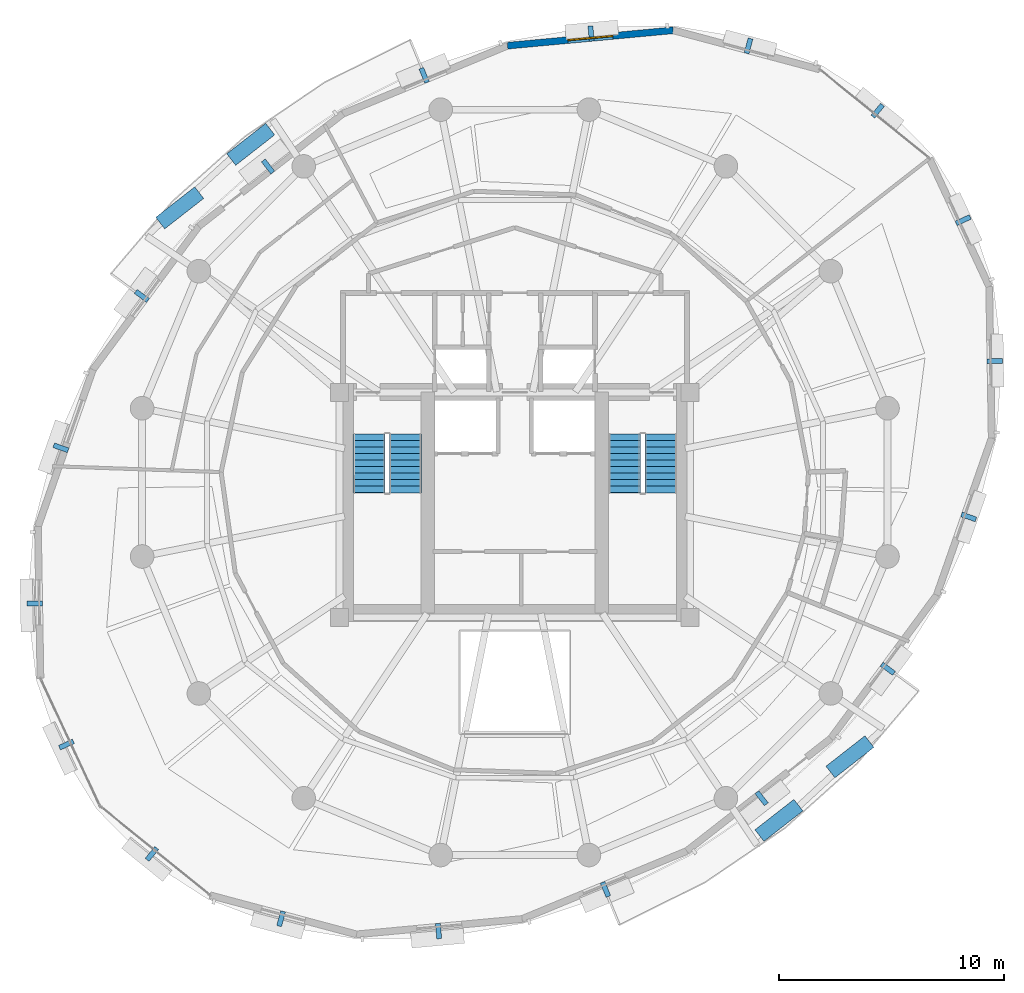
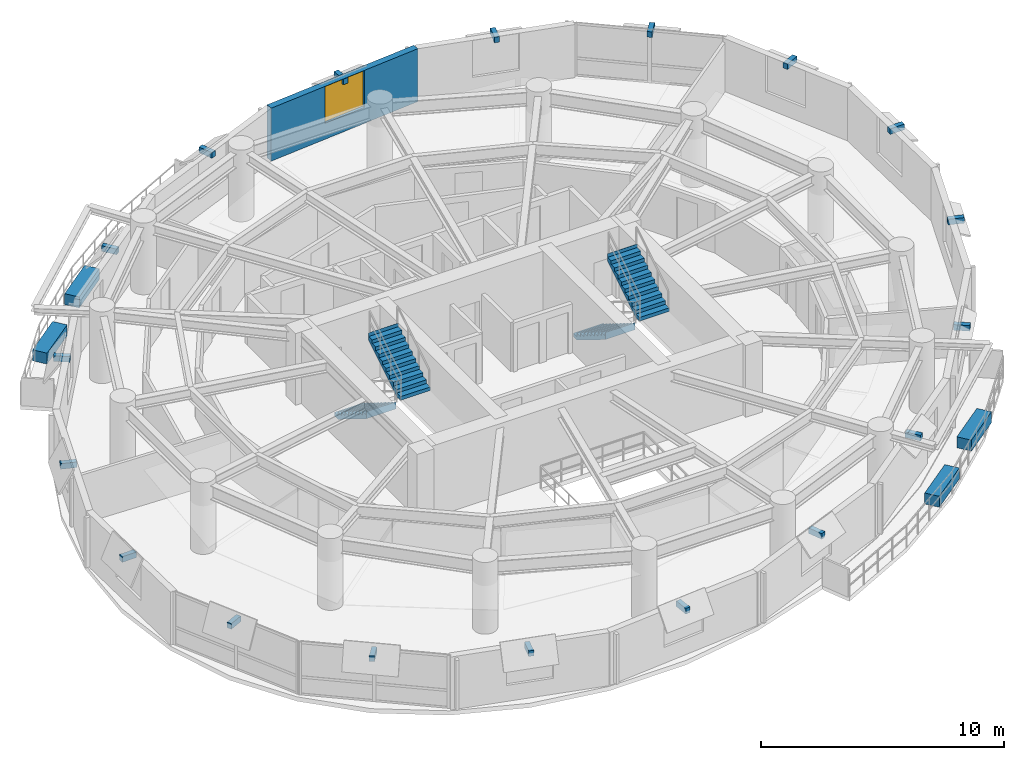
# One storey, part 10 of 12: 22 discrete accessories, 4 stair flights, 1 wall, 1 window, 1 opening, 2 elements without a shape of their own.
"""IFC4 building model written with IfcOpenShell, lengths in metres."""

from ifc_helpers import new_model, si_unit, direction, frame, frame_2d, origin, origin_2d, place, context, subcontext, project, spatial, polyline, rectangle, outline, extrude, material, layer, layer_set, type_object, element, fill, aggregate, save


model = new_model("IFC4")

# Units and contexts
model_context = context("Model", 3, precision=1e-05, world=origin(), true_north=direction((0.0, 1.0)))
body_context = subcontext(model_context, "Body", "Model", "MODEL_VIEW")
ifc_project = project(units=[si_unit("LENGTHUNIT", "METRE"), si_unit("AREAUNIT", "SQUARE_METRE"), si_unit("VOLUMEUNIT", "CUBIC_METRE"), si_unit("PLANEANGLEUNIT", "RADIAN"), si_unit("MASSUNIT", "GRAM", prefix="KILO"), si_unit("THERMODYNAMICTEMPERATUREUNIT", "KELVIN"), si_unit("POWERUNIT", "WATT")], contexts=[model_context])

# Site, building, storey
site_placement = place(None, origin())
site = spatial("IfcSite", under=ifc_project, at=site_placement, CompositionType="ELEMENT")
building_placement = place(site_placement, origin())
building = spatial("IfcBuilding", under=site, at=building_placement, Name="Ocrelia Relay Tower", CompositionType="ELEMENT")
storey_placement = place(building_placement, frame((0.0, 0.0, 191.60009765625)))
storey = spatial("IfcBuildingStorey", under=building, at=storey_placement, Name="L46", CompositionType="ELEMENT", Elevation=191.60009765625)

# Wall, opening, window
ifc_material_1 = material(Name="Precast concrete C40/50 with oxide terracotta", Category="masonry")
ifc_layer = layer(ifc_material_1, 0.300048828125, Name="Precast concrete C40/50 with oxide terracotta")
ifc_layer_set = layer_set([ifc_layer], Name="Precast concrete C40/50 with oxide terracotta")
wall_type = type_object("IfcWallType", Name="W-EXT-TERR-300", PredefinedType="SOLIDWALL", material=ifc_layer_set)
wall_placement = place(storey_placement, frame((41.041748046875, 46.102783203125, 0.0), z_axis=(0.0, 0.0, 1.0), x_axis=(-0.995718257767, -0.092439986742, 0.0)))
wall = element("IfcWall", 1, at=wall_placement, inside=storey, type_object=wall_type, Name="L46 Oxide Terracotta Facade Wall 03", PredefinedType="SOLIDWALL", context=body_context, shape_type="SweptSolid", body=[
    extrude(rectangle(XDim=7.397705078125, YDim=0.300048828125, at=frame_2d((3.69873046875, 0.0))), origin(), (0.0, 0.0, 1.0), 2.659912109375),
])
opening_placement = place(wall_placement, frame((2.698974609375, 0.0, 0.800048828125)))
opening = element("IfcOpeningElement", 2, at=opening_placement, cuts=wall, Name="Opening W-03", PredefinedType="OPENING", context=body_context, shape_type="SweptSolid", body=[
    extrude(rectangle(XDim=2.0, YDim=1.85009765625, at=frame_2d((1.0, 0.925048828125))), frame((0.0, 0.16015625, 0.0), z_axis=(0.0, -1.0, 0.0), x_axis=(1.0, 0.0, 0.0)), (0.0, 0.0, 1.0), 0.320068359375),
])
ifc_material_2 = material(Name="Clear double-glazed low-E glass", Category="glass")
window_type = type_object("IfcWindowType", Name="WIN-Z3-2000x2200", PartitioningType="DOUBLE_PANEL_VERTICAL", PredefinedType="WINDOW", material=ifc_material_2)
window_placement = place(opening_placement, origin())
window = element("IfcWindow", 3, at=window_placement, inside=storey, type_object=window_type, Name="L46 Facade Module Window 03", OverallHeight=1.85009765625, OverallWidth=2.0, PartitioningType="SINGLE_PANEL", PredefinedType="WINDOW", context=body_context, shape_type="SweptSolid", body=[
    extrude(rectangle(XDim=2.0, YDim=1.85009765625, at=frame_2d((1.0, 0.925048828125))), frame((0.0, 0.030029296875, 0.0), z_axis=(0.0, -1.0, 0.0), x_axis=(1.0, 0.0, 0.0)), (0.0, 0.0, 1.0), 0.06005859375),
])
fill(opening, window)

# Stair, stair flights
ifc_material_3 = material(Name="Concrete C50/60", Category="concrete")
stair_type = type_object("IfcStairType", Name="ST-DL-1420-R180", PredefinedType="HALF_TURN_STAIR", material=ifc_material_3)
stair_1_placement = place(storey_placement, origin())
stair_1 = element("IfcStair", 4, at=stair_1_placement, inside=storey, type_object=stair_type, Name="L46 West Core Exit Stair ST1", PredefinedType="HALF_TURN_STAIR")
stair_flight_type = type_object("IfcStairFlightType", Name="STF-DL-1420-R180", PredefinedType="STRAIGHT", material=ifc_material_3)
stair_flight_1_placement = place(storey_placement, frame((27.52001953125, 28.14990234375, 0.0), z_axis=(0.0, 0.0, 1.0), x_axis=(0.0, -1.0, 0.0)))
stair_flight_1 = element("IfcStairFlight", 5, at=stair_flight_1_placement, type_object=stair_flight_type, Name="ST1 flight 1", NumberOfRisers=10, NumberOfTreads=9, PredefinedType="STRAIGHT", RiserHeight=0.18, TreadLength=0.29, context=body_context, shape_type="SweptSolid", body=[
    extrude(outline(polyline([(-0.008056640625, 0.0), (-0.008056640625, 0.179931640625), (0.0, 0.179931640625), (0.2900390625, 0.179931640625), (0.2900390625, 0.360107421875), (0.580078125, 0.360107421875), (0.580078125, 0.5400390625), (0.8701171875, 0.5400390625), (0.8701171875, 0.719970703125), (1.159912109375, 0.719970703125), (1.159912109375, 0.89990234375), (1.449951171875, 0.89990234375), (1.449951171875, 1.080078125), (1.739990234375, 1.080078125), (1.739990234375, 1.260009765625), (2.030029296875, 1.260009765625), (2.030029296875, 1.43994140625), (2.320068359375, 1.43994140625), (2.320068359375, 1.6201171875), (2.610107421875, 1.6201171875), (2.610107421875, 1.800048828125), (2.617919921875, 1.800048828125), (2.617919921875, 1.443603515625), (0.2841796875, 0.0), (-0.008056640625, 0.0)])), frame((0.0, 0.7099609375, 0.0), z_axis=(0.0, -1.0, 0.0), x_axis=(1.0, 0.0, 0.0)), (0.0, 0.0, 1.0), 1.419921875),
])
stair_flight_2_placement = place(storey_placement, frame((29.139892578125, 25.5400390625, 1.7998046875), z_axis=(0.0, 0.0, 1.0), x_axis=(0.0, 1.0, 0.0)))
stair_flight_2 = element("IfcStairFlight", 6, at=stair_flight_2_placement, type_object=stair_flight_type, Name="ST1 flight 2", NumberOfRisers=10, NumberOfTreads=9, PredefinedType="STRAIGHT", RiserHeight=0.18, TreadLength=0.29, context=body_context, shape_type="SweptSolid", body=[
    extrude(outline(polyline([(-0.008056640625, 0.0), (-0.008056640625, 0.179931640625), (0.0, 0.179931640625), (0.2900390625, 0.179931640625), (0.2900390625, 0.360107421875), (0.580078125, 0.360107421875), (0.580078125, 0.5400390625), (0.8701171875, 0.5400390625), (0.8701171875, 0.719970703125), (1.159912109375, 0.719970703125), (1.159912109375, 0.89990234375), (1.449951171875, 0.89990234375), (1.449951171875, 1.080078125), (1.739990234375, 1.080078125), (1.739990234375, 1.260009765625), (2.030029296875, 1.260009765625), (2.030029296875, 1.43994140625), (2.320068359375, 1.43994140625), (2.320068359375, 1.6201171875), (2.610107421875, 1.6201171875), (2.610107421875, 1.800048828125), (2.617919921875, 1.800048828125), (2.617919921875, 1.443603515625), (0.2841796875, 0.0), (-0.008056640625, 0.0)])), frame((0.0, 0.7099609375, 0.0), z_axis=(0.0, -1.0, 0.0), x_axis=(1.0, 0.0, 0.0)), (0.0, 0.0, 1.0), 1.419921875),
])
aggregate(stair_1, [stair_flight_1, stair_flight_2])

stair_2_placement = place(storey_placement, origin())
stair_2 = element("IfcStair", 7, at=stair_2_placement, inside=storey, type_object=stair_type, Name="L46 East Core Exit Stair ST2", PredefinedType="HALF_TURN_STAIR")
stair_flight_3_placement = place(storey_placement, frame((38.8701171875, 28.14990234375, 0.0), z_axis=(0.0, 0.0, 1.0), x_axis=(0.0, -1.0, 0.0)))
stair_flight_3 = element("IfcStairFlight", 8, at=stair_flight_3_placement, type_object=stair_flight_type, Name="ST2 flight 1", NumberOfRisers=10, NumberOfTreads=9, PredefinedType="STRAIGHT", RiserHeight=0.18, TreadLength=0.29, context=body_context, shape_type="SweptSolid", body=[
    extrude(outline(polyline([(-0.008056640625, 0.0), (-0.008056640625, 0.179931640625), (0.0, 0.179931640625), (0.2900390625, 0.179931640625), (0.2900390625, 0.360107421875), (0.580078125, 0.360107421875), (0.580078125, 0.5400390625), (0.8701171875, 0.5400390625), (0.8701171875, 0.719970703125), (1.159912109375, 0.719970703125), (1.159912109375, 0.89990234375), (1.449951171875, 0.89990234375), (1.449951171875, 1.080078125), (1.739990234375, 1.080078125), (1.739990234375, 1.260009765625), (2.030029296875, 1.260009765625), (2.030029296875, 1.43994140625), (2.320068359375, 1.43994140625), (2.320068359375, 1.6201171875), (2.610107421875, 1.6201171875), (2.610107421875, 1.800048828125), (2.617919921875, 1.800048828125), (2.617919921875, 1.443603515625), (0.2841796875, 0.0), (-0.008056640625, 0.0)])), frame((0.0, 0.7099609375, 0.0), z_axis=(0.0, -1.0, 0.0), x_axis=(1.0, 0.0, 0.0)), (0.0, 0.0, 1.0), 1.419921875),
])
stair_flight_4_placement = place(storey_placement, frame((40.489990234375, 25.5400390625, 1.7998046875), z_axis=(0.0, 0.0, 1.0), x_axis=(0.0, 1.0, 0.0)))
stair_flight_4 = element("IfcStairFlight", 9, at=stair_flight_4_placement, type_object=stair_flight_type, Name="ST2 flight 2", NumberOfRisers=10, NumberOfTreads=9, PredefinedType="STRAIGHT", RiserHeight=0.18, TreadLength=0.29, context=body_context, shape_type="SweptSolid", body=[
    extrude(outline(polyline([(-0.008056640625, 0.0), (-0.008056640625, 0.179931640625), (0.0, 0.179931640625), (0.2900390625, 0.179931640625), (0.2900390625, 0.360107421875), (0.580078125, 0.360107421875), (0.580078125, 0.5400390625), (0.8701171875, 0.5400390625), (0.8701171875, 0.719970703125), (1.159912109375, 0.719970703125), (1.159912109375, 0.89990234375), (1.449951171875, 0.89990234375), (1.449951171875, 1.080078125), (1.739990234375, 1.080078125), (1.739990234375, 1.260009765625), (2.030029296875, 1.260009765625), (2.030029296875, 1.43994140625), (2.320068359375, 1.43994140625), (2.320068359375, 1.6201171875), (2.610107421875, 1.6201171875), (2.610107421875, 1.800048828125), (2.617919921875, 1.800048828125), (2.617919921875, 1.443603515625), (0.2841796875, 0.0), (-0.008056640625, 0.0)])), frame((0.0, 0.7099609375, 0.0), z_axis=(0.0, -1.0, 0.0), x_axis=(1.0, 0.0, 0.0)), (0.0, 0.0, 1.0), 1.419921875),
])
aggregate(stair_2, [stair_flight_3, stair_flight_4])

# Discrete accessories
ifc_material_4 = material(Name="Precast concrete C40/50 planter with highland greenery", Category="concrete")
discrete_accessory_type_1 = type_object("IfcDiscreteAccessoryType", Name="ACC-BALC-PLANTER", PredefinedType="USERDEFINED", material=ifc_material_4)
for number, where, z_axis, x_axis, name in (
    (10, (22.2548828125, 41.033203125, 0.0), (0.0, 0.0, 1.0), (0.788017834989, 0.615652411462, 0.0), "L46 Balcony Terracotta Planter with Greenery B1"),
    (11, (19.0966796875, 38.205810546875, 0.0), (0.0, 0.0, 1.0), (0.788017834989, 0.615652411462, 0.0), "L46 Balcony Terracotta Planter B1-2"),
    (12, (45.7451171875, 10.966796875, 0.0), (0.0, 0.0, 1.0), (-0.788017834989, -0.615652411462, 0.0), "L46 Balcony Terracotta Planter with Greenery B2"),
    (13, (48.9033203125, 13.794189453125, 0.0), (0.0, 0.0, 1.0), (-0.788017834989, -0.615652411462, 0.0), "L46 Balcony Terracotta Planter B2-2"),
):
    element("IfcDiscreteAccessory", number, at=place(storey_placement, frame(where, z_axis=z_axis, x_axis=x_axis)), inside=storey, type_object=discrete_accessory_type_1, Name=name, ObjectType="PLANTER", PredefinedType="USERDEFINED", context=body_context, shape_type="SweptSolid", body=[
        extrude(rectangle(XDim=2.199951171875, YDim=0.64990234375, at=origin_2d()), origin(), (0.0, 0.0, 1.0), 0.550048828125),
    ])
ifc_material_5 = material(Name="Steel S355", Category="steel")
discrete_accessory_type_2 = type_object("IfcDiscreteAccessoryType", Name="ACC-VISOR-BRACKET", PredefinedType="BRACKET", material=ifc_material_5)
for number, where, z_axis, x_axis, name in (
    (14, (50.138671875, 42.52734375, 2.35986328125), (0.0, 0.0, 1.0), (-0.776935646541, 0.629580019644, 0.0), "L46 Visor Mounting Bracket 01"),
    (15, (44.394287109375, 45.40869140625, 2.35986328125), (0.0, 0.0, 1.0), (-0.966121653723, 0.258087098105, 0.0), "L46 Visor Mounting Bracket 02"),
    (16, (37.392333984375, 45.9580078125, 2.35986328125), (0.0, 0.0, 1.0), (-0.995717407772, -0.092449142017, 0.0), "L46 Visor Mounting Bracket 03"),
    (17, (29.968994140625, 44.10107421875, 2.35986328125), (0.0, 0.0, 1.0), (-0.92426790959, -0.381744458116, 0.0), "L46 Visor Mounting Bracket 04"),
    (18, (23.02392578125, 40.048583984375, 2.35986328125), (0.0, 0.0, 1.0), (-0.788007956914, -0.615665054912, 0.0), "L46 Visor Mounting Bracket 05"),
    (19, (17.411865234375, 34.290283203125, 2.35986328125), (0.0, 0.0, 1.0), (-0.594004722236, -0.804461552818, 0.0), "L46 Visor Mounting Bracket 06"),
    (20, (13.814208984375, 27.536865234375, 2.35986328125), (0.0, 0.0, 1.0), (-0.330596085787, -0.943772339106, 0.0), "L46 Visor Mounting Bracket 07"),
    (21, (12.6533203125, 20.60986328125, 2.35986328125), (0.0, 0.0, 1.0), (0.016693748492, -0.999860649671, 0.0), "L46 Visor Mounting Bracket 08"),
    (22, (14.059326171875, 14.339111328125, 2.35986328125), (0.0, 0.0, 1.0), (0.422921190321, -0.906166467476, 0.0), "L46 Visor Mounting Bracket 09"),
    (23, (17.861328125, 9.47265625, 2.35986328125), (0.0, 0.0, 1.0), (0.776935646541, -0.629580019644, 0.0), "L46 Visor Mounting Bracket 10"),
    (24, (23.605712890625, 6.59130859375, 2.35986328125), (0.0, 0.0, 1.0), (0.966121653723, -0.258087098105, 0.0), "L46 Visor Mounting Bracket 11"),
    (25, (30.607666015625, 6.0419921875, 2.35986328125), (0.0, 0.0, 1.0), (0.995717407772, 0.092449142017, 0.0), "L46 Visor Mounting Bracket 12"),
    (26, (38.031005859375, 7.89892578125, 2.35986328125), (0.0, 0.0, 1.0), (0.92426790959, 0.381744458116, 0.0), "L46 Visor Mounting Bracket 13"),
    (27, (44.97607421875, 11.951416015625, 2.35986328125), (0.0, 0.0, 1.0), (0.788007956914, 0.615665054912, 0.0), "L46 Visor Mounting Bracket 14"),
    (28, (50.588134765625, 17.709716796875, 2.35986328125), (0.0, 0.0, 1.0), (0.594004722236, 0.804461552818, 0.0), "L46 Visor Mounting Bracket 15"),
    (29, (54.185791015625, 24.463134765625, 2.35986328125), (0.0, 0.0, 1.0), (0.330596085787, 0.943772339106, 0.0), "L46 Visor Mounting Bracket 16"),
    (30, (55.3466796875, 31.39013671875, 2.35986328125), (0.0, 0.0, 1.0), (-0.016693748492, 0.999860649671, 0.0), "L46 Visor Mounting Bracket 17"),
    (31, (53.940673828125, 37.660888671875, 2.35986328125), (0.0, 0.0, 1.0), (-0.422921190321, 0.906166467476, 0.0), "L46 Visor Mounting Bracket 18"),
):
    element("IfcDiscreteAccessory", number, at=place(storey_placement, frame(where, z_axis=z_axis, x_axis=x_axis)), inside=storey, type_object=discrete_accessory_type_2, Name=name, PredefinedType="BRACKET", context=body_context, shape_type="SweptSolid", body=[
        extrude(rectangle(XDim=0.219970703125, YDim=0.679931640625, at=origin_2d()), origin(), (0.0, 0.0, 1.0), 0.280029296875),
    ])

save(model, "model.ifc")
